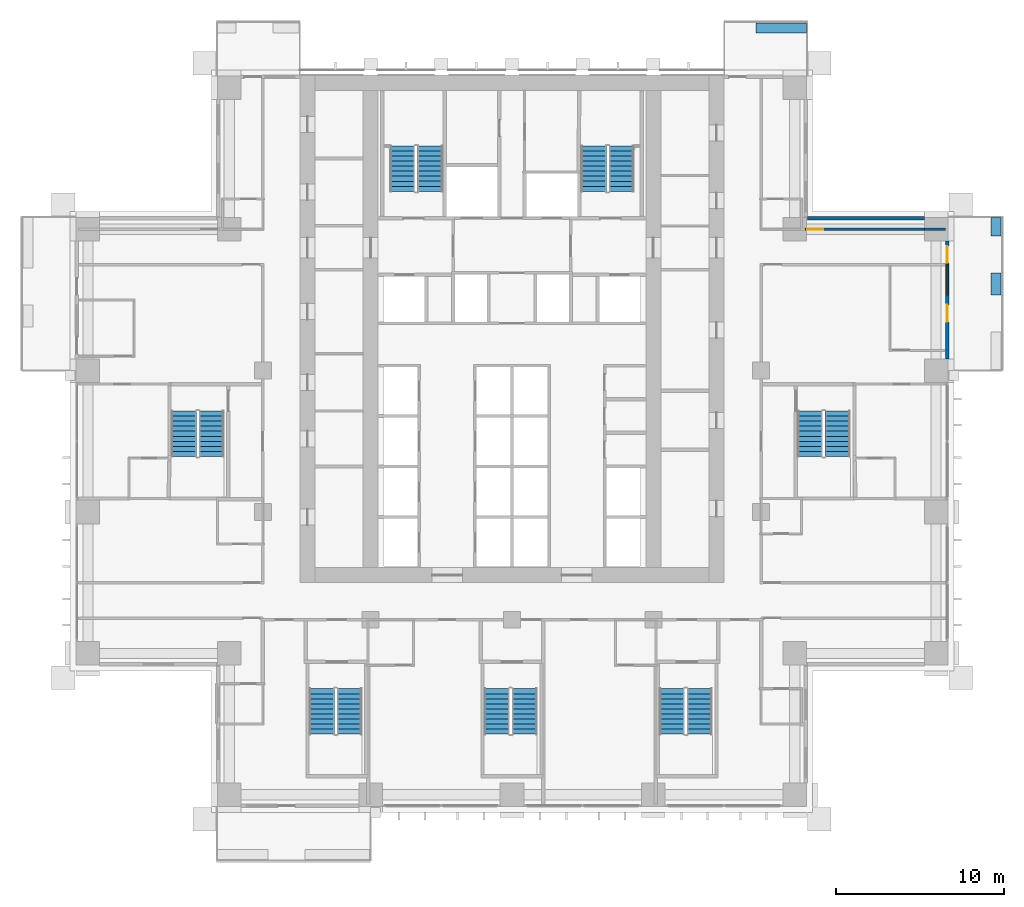
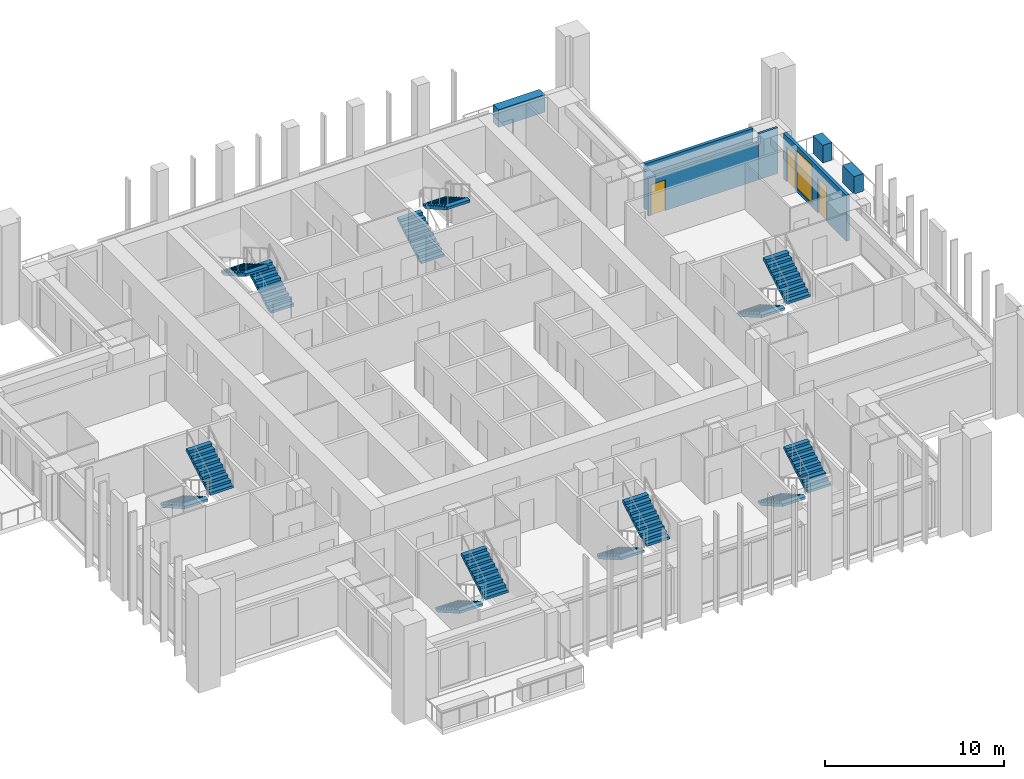
# One storey, part 12 of 17: 14 stair flights, 7 walls, 3 doors, 1 window, 4 openings, 7 elements without a shape of their own.
"""IFC4 building model written with IfcOpenShell, lengths in metres."""

from ifc_helpers import new_model, si_unit, direction, frame, frame_2d, origin, place, context, subcontext, project, spatial, polyline, rectangle, outline, extrude, material, layer, layer_set, type_object, element, fill, aggregate, save


model = new_model("IFC4")

# Units and contexts
model_context = context("Model", 3, precision=1e-05, world=origin(), true_north=direction((0.0, 1.0)))
body_context = subcontext(model_context, "Body", "Model", "MODEL_VIEW")
ifc_project = project(units=[si_unit("LENGTHUNIT", "METRE"), si_unit("AREAUNIT", "SQUARE_METRE"), si_unit("VOLUMEUNIT", "CUBIC_METRE"), si_unit("PLANEANGLEUNIT", "RADIAN"), si_unit("MASSUNIT", "GRAM", prefix="KILO")], contexts=[model_context])

# Site, building, storey
site_placement = place(None, origin())
site = spatial("IfcSite", under=ifc_project, at=site_placement, CompositionType="ELEMENT")
building_placement = place(site_placement, origin())
building = spatial("IfcBuilding", under=site, at=building_placement, Name="Vermilion Ogive Tower", CompositionType="ELEMENT")
storey_placement = place(building_placement, frame((0.0, 0.0, 69.0)))
storey = spatial("IfcBuildingStorey", under=building, at=storey_placement, Name="L16", CompositionType="ELEMENT", Elevation=69.0)

# Wall, opening, door
ifc_material_1 = material(Name="Gypsum board partition on steel studs", Category="steel")
ifc_layer_1 = layer(ifc_material_1, 0.14990234375)
ifc_layer_set_1 = layer_set([ifc_layer_1], Name="Partition 150 corridor")
wall_type_1 = type_object("IfcWallType", Name="Partition 150 corridor", PredefinedType="PARTITIONING", material=ifc_layer_set_1)
wall_1_placement = place(storey_placement, frame((17.39990234375, 12.60009765625, 0.0), z_axis=(0.0, 0.0, 1.0), x_axis=(1.0, 0.0, 0.0)))
wall_1 = element("IfcWall", 1, at=wall_1_placement, inside=storey, type_object=wall_type_1, Name="L16-W-W047-h1", PredefinedType="PARTITIONING", context=body_context, shape_type="SweptSolid", body=[
    extrude(rectangle(XDim=7.10009765625, YDim=0.14990234375, at=frame_2d((3.550048828125, 0.0))), origin(), (0.0, 0.0, 1.0), 2.580078125),
])
opening_1_placement = place(wall_1_placement, frame((0.14990234375, 0.0, 0.0)))
opening_1 = element("IfcOpeningElement", 2, at=opening_1_placement, cuts=wall_1, Name="Opening D1G6023", PredefinedType="OPENING", context=body_context, shape_type="SweptSolid", body=[
    extrude(rectangle(XDim=0.949951171875, YDim=2.10009765625, at=frame_2d((0.47509765625, 1.050048828125))), frame((0.0, 0.0849609375, 0.0), z_axis=(0.0, -1.0, 0.0), x_axis=(1.0, 0.0, 0.0)), (0.0, 0.0, 1.0), 0.169921875),
])
ifc_material_2 = material(Name="Timber door leaf", Category="wood")
door_type_1 = type_object("IfcDoorType", Name="Unit door 950 x 2100 FD30S", OperationType="SINGLE_SWING_LEFT", PredefinedType="DOOR", material=ifc_material_2)
door_1_placement = place(opening_1_placement, origin())
door_1 = element("IfcDoor", 3, at=door_1_placement, inside=storey, type_object=door_type_1, Name="L16-D-D023", OperationType="SINGLE_SWING_LEFT", OverallHeight=2.10009765625, OverallWidth=0.949951171875, PredefinedType="DOOR", context=body_context, shape_type="SweptSolid", body=[
    extrude(rectangle(XDim=0.949951171875, YDim=2.10009765625, at=frame_2d((0.47509765625, 1.050048828125))), frame((0.0, 0.02490234375, 0.0), z_axis=(0.0, -1.0, 0.0), x_axis=(1.0, 0.0, 0.0)), (0.0, 0.0, 1.0), 0.050048828125),
])
fill(opening_1, door_1)

# Walls
wall_2_placement = place(storey_placement, frame((24.5, 12.60009765625, 0.0), z_axis=(0.0, 0.0, 1.0), x_axis=(1.0, 0.0, 0.0)))
element("IfcWall", 4, at=wall_2_placement, inside=storey, type_object=wall_type_1, Name="L16-W-W047-h2", PredefinedType="PARTITIONING", context=body_context, shape_type="SweptSolid", body=[
    extrude(rectangle(XDim=1.25, YDim=0.14990234375, at=frame_2d((0.625, 0.0))), origin(), (0.0, 0.0, 1.0), 3.1298828125),
])
ifc_material_3 = material(Name="Concrete B40", Category="concrete")
ifc_layer_2 = layer(ifc_material_3, 0.60009765625)
ifc_layer_set_2 = layer_set([ifc_layer_2], Name="Structural planter")
wall_type_2 = type_object("IfcWallType", Name="Structural planter", PredefinedType="USERDEFINED", material=ifc_layer_set_2)
wall_3_placement = place(storey_placement, frame((28.75, 8.699951171875, -0.0400390625), z_axis=(0.0, 0.0, 1.0), x_axis=(0.0, 1.0, 0.0)))
element("IfcWall", 5, at=wall_3_placement, inside=storey, type_object=wall_type_2, Name="Planter E03A2", ObjectType="PLANTER", PredefinedType="USERDEFINED", context=body_context, shape_type="SweptSolid", body=[
    extrude(rectangle(XDim=1.300048828125, YDim=0.60009765625, at=frame_2d((0.64990234375, 0.0))), origin(), (0.0, 0.0, 1.0), 1.199951171875),
])
wall_4_placement = place(storey_placement, frame((28.75, 12.199951171875, -0.0400390625), z_axis=(0.0, 0.0, 1.0), x_axis=(0.0, 1.0, 0.0)))
element("IfcWall", 6, at=wall_4_placement, inside=storey, type_object=wall_type_2, Name="Planter E03A3", ObjectType="PLANTER", PredefinedType="USERDEFINED", context=body_context, shape_type="SweptSolid", body=[
    extrude(rectangle(XDim=1.090087890625, YDim=0.60009765625, at=frame_2d((0.544921875, 0.0))), origin(), (0.0, 0.0, 1.0), 1.199951171875),
])
wall_5_placement = place(storey_placement, frame((17.489990234375, 24.550048828125, -0.0400390625), z_axis=(0.0, 0.0, 1.0), x_axis=(-1.0, 0.0, 0.0)))
element("IfcWall", 7, at=wall_5_placement, inside=storey, type_object=wall_type_2, Name="Planter N101A1", ObjectType="PLANTER", PredefinedType="USERDEFINED", context=body_context, shape_type="SweptSolid", body=[
    extrude(rectangle(XDim=2.989990234375, YDim=0.60009765625, at=frame_2d((1.4951171875, 0.0))), origin(), (0.0, 0.0, 1.0), 1.199951171875),
])

# Wall, openings, doors, window
ifc_material_4 = material(Name="Aluminium window wall framing", Category="aluminium")
ifc_layer_3 = layer(ifc_material_4, 0.199951171875)
ifc_layer_set_3 = layer_set([ifc_layer_3], Name="Window wall")
wall_type_3 = type_object("IfcWallType", Name="Window wall", PredefinedType="STANDARD", material=ifc_layer_set_3)
wall_6_placement = place(storey_placement, frame((25.85009765625, 4.89990234375, 0.0), z_axis=(0.0, 0.0, 1.0), x_axis=(0.0, 1.0, 0.0)))
wall_6 = element("IfcWall", 8, at=wall_6_placement, inside=storey, type_object=wall_type_3, Name="Window wall E3", PredefinedType="STANDARD", context=body_context, shape_type="SweptSolid", body=[
    extrude(rectangle(XDim=7.0, YDim=0.199951171875, at=frame_2d((3.5, 0.0))), origin(), (0.0, 0.0, 1.0), 3.1298828125),
])
opening_2_placement = place(wall_6_placement, frame((2.199951171875, 0.0, 0.0)))
opening_2 = element("IfcOpeningElement", 9, at=opening_2_placement, cuts=wall_6, Name="Opening D1-E01", PredefinedType="OPENING", context=body_context, shape_type="SweptSolid", body=[
    extrude(rectangle(XDim=1.0, YDim=2.39990234375, at=frame_2d((0.5, 1.199951171875))), frame((0.0, 0.10986328125, 0.0), z_axis=(0.0, -1.0, 0.0), x_axis=(1.0, 0.0, 0.0)), (0.0, 0.0, 1.0), 0.219970703125),
])
opening_3_placement = place(wall_6_placement, frame((3.800048828125, 0.0, 0.199951171875)))
opening_3 = element("IfcOpeningElement", 10, at=opening_3_placement, cuts=wall_6, Name="Opening W1-E02", PredefinedType="OPENING", context=body_context, shape_type="SweptSolid", body=[
    extrude(rectangle(XDim=1.800048828125, YDim=2.64990234375, at=frame_2d((0.89990234375, 1.324951171875))), frame((0.0, 0.10986328125, 0.0), z_axis=(0.0, -1.0, 0.0), x_axis=(1.0, 0.0, 0.0)), (0.0, 0.0, 1.0), 0.219970703125),
])
opening_4_placement = place(wall_6_placement, frame((5.699951171875, 0.0, 0.0)))
opening_4 = element("IfcOpeningElement", 11, at=opening_4_placement, cuts=wall_6, Name="Opening D1-E02", PredefinedType="OPENING", context=body_context, shape_type="SweptSolid", body=[
    extrude(rectangle(XDim=1.0, YDim=2.39990234375, at=frame_2d((0.5, 1.199951171875))), frame((0.0, 0.10986328125, 0.0), z_axis=(0.0, -1.0, 0.0), x_axis=(1.0, 0.0, 0.0)), (0.0, 0.0, 1.0), 0.219970703125),
])
ifc_material_5 = material(Name="Aluminium framed glazed door", Category="aluminium")
door_type_2 = type_object("IfcDoorType", Name="Balcony door D1", OperationType="SINGLE_SWING_LEFT", PredefinedType="DOOR", material=ifc_material_5)
door_2_placement = place(opening_2_placement, origin())
door_2 = element("IfcDoor", 12, at=door_2_placement, inside=storey, type_object=door_type_2, Name="Balcony door E01", OperationType="SINGLE_SWING_LEFT", OverallHeight=2.39990234375, OverallWidth=1.0, PredefinedType="DOOR", context=body_context, shape_type="SweptSolid", body=[
    extrude(rectangle(XDim=1.0, YDim=2.39990234375, at=frame_2d((0.5, 1.199951171875))), frame((0.0, 0.02490234375, 0.0), z_axis=(0.0, -1.0, 0.0), x_axis=(1.0, 0.0, 0.0)), (0.0, 0.0, 1.0), 0.050048828125),
])
fill(opening_2, door_2)
door_3_placement = place(opening_4_placement, origin())
door_3 = element("IfcDoor", 13, at=door_3_placement, inside=storey, type_object=door_type_2, Name="Balcony door E02", OperationType="SINGLE_SWING_LEFT", OverallHeight=2.39990234375, OverallWidth=1.0, PredefinedType="DOOR", context=body_context, shape_type="SweptSolid", body=[
    extrude(rectangle(XDim=1.0, YDim=2.39990234375, at=frame_2d((0.5, 1.199951171875))), frame((0.0, 0.02490234375, 0.0), z_axis=(0.0, -1.0, 0.0), x_axis=(1.0, 0.0, 0.0)), (0.0, 0.0, 1.0), 0.050048828125),
])
fill(opening_4, door_3)
ifc_material_6 = material(Name="Aluminium framed double glazing", Category="aluminium")
window_type = type_object("IfcWindowType", Name="Guest window W1", PartitioningType="SINGLE_PANEL", PredefinedType="WINDOW", material=ifc_material_6)
window_placement = place(opening_3_placement, origin())
window = element("IfcWindow", 14, at=window_placement, inside=storey, type_object=window_type, Name="Window E02", OverallHeight=2.64990234375, OverallWidth=1.800048828125, PartitioningType="SINGLE_PANEL", PredefinedType="WINDOW", context=body_context, shape_type="SweptSolid", body=[
    extrude(rectangle(XDim=1.800048828125, YDim=2.64990234375, at=frame_2d((0.89990234375, 1.324951171875))), frame((0.0, 0.030029296875, 0.0), z_axis=(0.0, -1.0, 0.0), x_axis=(1.0, 0.0, 0.0)), (0.0, 0.0, 1.0), 0.06005859375),
])
fill(opening_3, window)

# Wall
wall_7_placement = place(storey_placement, frame((24.5, 13.25, 0.0), z_axis=(0.0, 0.0, 1.0), x_axis=(-1.0, 0.0, 0.0)))
element("IfcWall", 15, at=wall_7_placement, inside=storey, type_object=wall_type_3, Name="Window wall X31", PredefinedType="STANDARD", context=body_context, shape_type="SweptSolid", body=[
    extrude(rectangle(XDim=6.949951171875, YDim=0.199951171875, at=frame_2d((3.47509765625, 0.0))), origin(), (0.0, 0.0, 1.0), 3.1298828125),
])

# Stair, stair flights
ifc_material_7 = material(Name="Concrete B40", Category="concrete")
stair_type = type_object("IfcStairType", Name="Exit stair 1500", PredefinedType="HALF_TURN_STAIR", material=ifc_material_7)
stair_1_placement = place(storey_placement, origin())
stair_1 = element("IfcStair", 16, at=stair_1_placement, inside=storey, type_object=stair_type, Name="L16 Exit Stair ST1", PredefinedType="HALF_TURN_STAIR")
ifc_material_8 = material(Name="Concrete B40", Category="concrete")
stair_flight_type = type_object("IfcStairFlightType", Name="Stair flight 1500", PredefinedType="STRAIGHT", material=ifc_material_8)
stair_flight_1_placement = place(storey_placement, frame((-4.85009765625, 14.85009765625, 0.0), z_axis=(0.0, 0.0, 1.0), x_axis=(0.0, 1.0, 0.0)))
stair_flight_1 = element("IfcStairFlight", 17, at=stair_flight_1_placement, type_object=stair_flight_type, Name="ST1 flight 1", NumberOfRisers=10, NumberOfTreads=9, PredefinedType="STRAIGHT", RiserHeight=0.1725, TreadLength=0.3, context=body_context, shape_type="SweptSolid", body=[
    extrude(outline(polyline([(0.0, 0.0), (0.0, 0.172607421875), (0.300048828125, 0.172607421875), (0.300048828125, 0.344970703125), (0.60009765625, 0.344970703125), (0.60009765625, 0.517578125), (0.89990234375, 0.517578125), (0.89990234375, 0.68994140625), (1.199951171875, 0.68994140625), (1.199951171875, 0.862548828125), (1.5, 0.862548828125), (1.5, 1.034912109375), (1.800048828125, 1.034912109375), (1.800048828125, 1.20751953125), (2.10009765625, 1.20751953125), (2.10009765625, 1.3798828125), (2.39990234375, 1.3798828125), (2.39990234375, 1.552490234375), (2.699951171875, 1.552490234375), (2.699951171875, 1.72509765625), (2.699951171875, 1.379638671875), (0.30078125, 0.0), (0.0, 0.0)])), frame((0.0, 0.75, 0.0), z_axis=(0.0, -1.0, 0.0), x_axis=(1.0, 0.0, 0.0)), (0.0, 0.0, 1.0), 1.5),
])
stair_flight_2_placement = place(storey_placement, frame((-6.5, 17.550048828125, 1.72509765625), z_axis=(0.0, 0.0, 1.0), x_axis=(0.0, -1.0, 0.0)))
stair_flight_2 = element("IfcStairFlight", 18, at=stair_flight_2_placement, type_object=stair_flight_type, Name="ST1 flight 2", NumberOfRisers=10, NumberOfTreads=9, PredefinedType="STRAIGHT", RiserHeight=0.1725, TreadLength=0.3, context=body_context, shape_type="SweptSolid", body=[
    extrude(outline(polyline([(0.0, 0.0), (0.0, 0.172607421875), (0.300048828125, 0.172607421875), (0.300048828125, 0.344970703125), (0.60009765625, 0.344970703125), (0.60009765625, 0.517578125), (0.89990234375, 0.517578125), (0.89990234375, 0.68994140625), (1.199951171875, 0.68994140625), (1.199951171875, 0.862548828125), (1.5, 0.862548828125), (1.5, 1.034912109375), (1.800048828125, 1.034912109375), (1.800048828125, 1.20751953125), (2.10009765625, 1.20751953125), (2.10009765625, 1.3798828125), (2.39990234375, 1.3798828125), (2.39990234375, 1.552490234375), (2.699951171875, 1.552490234375), (2.699951171875, 1.72509765625), (2.699951171875, 1.379638671875), (0.30078125, 0.0), (0.0, 0.0)])), frame((0.0, 0.75, 0.0), z_axis=(0.0, -1.0, 0.0), x_axis=(1.0, 0.0, 0.0)), (0.0, 0.0, 1.0), 1.5),
])
aggregate(stair_1, [stair_flight_1, stair_flight_2])

stair_2_placement = place(storey_placement, origin())
stair_2 = element("IfcStair", 19, at=stair_2_placement, inside=storey, type_object=stair_type, Name="L16 Exit Stair ST2", PredefinedType="HALF_TURN_STAIR")
stair_flight_3_placement = place(storey_placement, frame((4.85009765625, 14.85009765625, 0.0), z_axis=(0.0, 0.0, 1.0), x_axis=(0.0, 1.0, 0.0)))
stair_flight_3 = element("IfcStairFlight", 20, at=stair_flight_3_placement, type_object=stair_flight_type, Name="ST2 flight 1", NumberOfRisers=10, NumberOfTreads=9, PredefinedType="STRAIGHT", RiserHeight=0.1725, TreadLength=0.3, context=body_context, shape_type="SweptSolid", body=[
    extrude(outline(polyline([(0.0, 0.0), (0.0, 0.172607421875), (0.300048828125, 0.172607421875), (0.300048828125, 0.344970703125), (0.60009765625, 0.344970703125), (0.60009765625, 0.517578125), (0.89990234375, 0.517578125), (0.89990234375, 0.68994140625), (1.199951171875, 0.68994140625), (1.199951171875, 0.862548828125), (1.5, 0.862548828125), (1.5, 1.034912109375), (1.800048828125, 1.034912109375), (1.800048828125, 1.20751953125), (2.10009765625, 1.20751953125), (2.10009765625, 1.3798828125), (2.39990234375, 1.3798828125), (2.39990234375, 1.552490234375), (2.699951171875, 1.552490234375), (2.699951171875, 1.72509765625), (2.699951171875, 1.379638671875), (0.30078125, 0.0), (0.0, 0.0)])), frame((0.0, 0.75, 0.0), z_axis=(0.0, -1.0, 0.0), x_axis=(1.0, 0.0, 0.0)), (0.0, 0.0, 1.0), 1.5),
])
stair_flight_4_placement = place(storey_placement, frame((6.5, 17.550048828125, 1.72509765625), z_axis=(0.0, 0.0, 1.0), x_axis=(0.0, -1.0, 0.0)))
stair_flight_4 = element("IfcStairFlight", 21, at=stair_flight_4_placement, type_object=stair_flight_type, Name="ST2 flight 2", NumberOfRisers=10, NumberOfTreads=9, PredefinedType="STRAIGHT", RiserHeight=0.1725, TreadLength=0.3, context=body_context, shape_type="SweptSolid", body=[
    extrude(outline(polyline([(0.0, 0.0), (0.0, 0.172607421875), (0.300048828125, 0.172607421875), (0.300048828125, 0.344970703125), (0.60009765625, 0.344970703125), (0.60009765625, 0.517578125), (0.89990234375, 0.517578125), (0.89990234375, 0.68994140625), (1.199951171875, 0.68994140625), (1.199951171875, 0.862548828125), (1.5, 0.862548828125), (1.5, 1.034912109375), (1.800048828125, 1.034912109375), (1.800048828125, 1.20751953125), (2.10009765625, 1.20751953125), (2.10009765625, 1.3798828125), (2.39990234375, 1.3798828125), (2.39990234375, 1.552490234375), (2.699951171875, 1.552490234375), (2.699951171875, 1.72509765625), (2.699951171875, 1.379638671875), (0.30078125, 0.0), (0.0, 0.0)])), frame((0.0, 0.75, 0.0), z_axis=(0.0, -1.0, 0.0), x_axis=(1.0, 0.0, 0.0)), (0.0, 0.0, 1.0), 1.5),
])
aggregate(stair_2, [stair_flight_3, stair_flight_4])

stair_3_placement = place(storey_placement, origin())
stair_3 = element("IfcStair", 22, at=stair_3_placement, inside=storey, type_object=stair_type, Name="L16 Exit Stair ST3", PredefinedType="HALF_TURN_STAIR")
stair_flight_5_placement = place(storey_placement, frame((-11.300048828125, -14.699951171875, 0.0), z_axis=(0.0, 0.0, 1.0), x_axis=(0.0, -1.0, 0.0)))
stair_flight_5 = element("IfcStairFlight", 23, at=stair_flight_5_placement, type_object=stair_flight_type, Name="ST3 flight 1", NumberOfRisers=10, NumberOfTreads=9, PredefinedType="STRAIGHT", RiserHeight=0.1725, TreadLength=0.3, context=body_context, shape_type="SweptSolid", body=[
    extrude(outline(polyline([(0.0, 0.0), (0.0, 0.172607421875), (0.300048828125, 0.172607421875), (0.300048828125, 0.344970703125), (0.60009765625, 0.344970703125), (0.60009765625, 0.517578125), (0.89990234375, 0.517578125), (0.89990234375, 0.68994140625), (1.199951171875, 0.68994140625), (1.199951171875, 0.862548828125), (1.5, 0.862548828125), (1.5, 1.034912109375), (1.800048828125, 1.034912109375), (1.800048828125, 1.20751953125), (2.10009765625, 1.20751953125), (2.10009765625, 1.3798828125), (2.39990234375, 1.3798828125), (2.39990234375, 1.552490234375), (2.699951171875, 1.552490234375), (2.699951171875, 1.72509765625), (2.699951171875, 1.379638671875), (0.30078125, 0.0), (0.0, 0.0)])), frame((0.0, 0.75, 0.0), z_axis=(0.0, -1.0, 0.0), x_axis=(1.0, 0.0, 0.0)), (0.0, 0.0, 1.0), 1.5),
])
stair_flight_6_placement = place(storey_placement, frame((-9.64990234375, -17.39990234375, 1.72509765625), z_axis=(0.0, 0.0, 1.0), x_axis=(0.0, 1.0, 0.0)))
stair_flight_6 = element("IfcStairFlight", 24, at=stair_flight_6_placement, type_object=stair_flight_type, Name="ST3 flight 2", NumberOfRisers=10, NumberOfTreads=9, PredefinedType="STRAIGHT", RiserHeight=0.1725, TreadLength=0.3, context=body_context, shape_type="SweptSolid", body=[
    extrude(outline(polyline([(0.0, 0.0), (0.0, 0.172607421875), (0.300048828125, 0.172607421875), (0.300048828125, 0.344970703125), (0.60009765625, 0.344970703125), (0.60009765625, 0.517578125), (0.89990234375, 0.517578125), (0.89990234375, 0.68994140625), (1.199951171875, 0.68994140625), (1.199951171875, 0.862548828125), (1.5, 0.862548828125), (1.5, 1.034912109375), (1.800048828125, 1.034912109375), (1.800048828125, 1.20751953125), (2.10009765625, 1.20751953125), (2.10009765625, 1.3798828125), (2.39990234375, 1.3798828125), (2.39990234375, 1.552490234375), (2.699951171875, 1.552490234375), (2.699951171875, 1.72509765625), (2.699951171875, 1.379638671875), (0.30078125, 0.0), (0.0, 0.0)])), frame((0.0, 0.75, 0.0), z_axis=(0.0, -1.0, 0.0), x_axis=(1.0, 0.0, 0.0)), (0.0, 0.0, 1.0), 1.5),
])
aggregate(stair_3, [stair_flight_5, stair_flight_6])

stair_4_placement = place(storey_placement, origin())
stair_4 = element("IfcStair", 25, at=stair_4_placement, inside=storey, type_object=stair_type, Name="L16 Exit Stair ST4", PredefinedType="HALF_TURN_STAIR")
stair_flight_7_placement = place(storey_placement, frame((-0.89990234375, -14.699951171875, 0.0), z_axis=(0.0, 0.0, 1.0), x_axis=(0.0, -1.0, 0.0)))
stair_flight_7 = element("IfcStairFlight", 26, at=stair_flight_7_placement, type_object=stair_flight_type, Name="ST4 flight 1", NumberOfRisers=10, NumberOfTreads=9, PredefinedType="STRAIGHT", RiserHeight=0.1725, TreadLength=0.3, context=body_context, shape_type="SweptSolid", body=[
    extrude(outline(polyline([(0.0, 0.0), (0.0, 0.172607421875), (0.300048828125, 0.172607421875), (0.300048828125, 0.344970703125), (0.60009765625, 0.344970703125), (0.60009765625, 0.517578125), (0.89990234375, 0.517578125), (0.89990234375, 0.68994140625), (1.199951171875, 0.68994140625), (1.199951171875, 0.862548828125), (1.5, 0.862548828125), (1.5, 1.034912109375), (1.800048828125, 1.034912109375), (1.800048828125, 1.20751953125), (2.10009765625, 1.20751953125), (2.10009765625, 1.3798828125), (2.39990234375, 1.3798828125), (2.39990234375, 1.552490234375), (2.699951171875, 1.552490234375), (2.699951171875, 1.72509765625), (2.699951171875, 1.379638671875), (0.30078125, 0.0), (0.0, 0.0)])), frame((0.0, 0.75, 0.0), z_axis=(0.0, -1.0, 0.0), x_axis=(1.0, 0.0, 0.0)), (0.0, 0.0, 1.0), 1.5),
])
stair_flight_8_placement = place(storey_placement, frame((0.75, -17.39990234375, 1.72509765625), z_axis=(0.0, 0.0, 1.0), x_axis=(0.0, 1.0, 0.0)))
stair_flight_8 = element("IfcStairFlight", 27, at=stair_flight_8_placement, type_object=stair_flight_type, Name="ST4 flight 2", NumberOfRisers=10, NumberOfTreads=9, PredefinedType="STRAIGHT", RiserHeight=0.1725, TreadLength=0.3, context=body_context, shape_type="SweptSolid", body=[
    extrude(outline(polyline([(0.0, 0.0), (0.0, 0.172607421875), (0.300048828125, 0.172607421875), (0.300048828125, 0.344970703125), (0.60009765625, 0.344970703125), (0.60009765625, 0.517578125), (0.89990234375, 0.517578125), (0.89990234375, 0.68994140625), (1.199951171875, 0.68994140625), (1.199951171875, 0.862548828125), (1.5, 0.862548828125), (1.5, 1.034912109375), (1.800048828125, 1.034912109375), (1.800048828125, 1.20751953125), (2.10009765625, 1.20751953125), (2.10009765625, 1.3798828125), (2.39990234375, 1.3798828125), (2.39990234375, 1.552490234375), (2.699951171875, 1.552490234375), (2.699951171875, 1.72509765625), (2.699951171875, 1.379638671875), (0.30078125, 0.0), (0.0, 0.0)])), frame((0.0, 0.75, 0.0), z_axis=(0.0, -1.0, 0.0), x_axis=(1.0, 0.0, 0.0)), (0.0, 0.0, 1.0), 1.5),
])
aggregate(stair_4, [stair_flight_7, stair_flight_8])

stair_5_placement = place(storey_placement, origin())
stair_5 = element("IfcStair", 28, at=stair_5_placement, inside=storey, type_object=stair_type, Name="L16 Exit Stair ST5", PredefinedType="HALF_TURN_STAIR")
stair_flight_9_placement = place(storey_placement, frame((9.5, -14.699951171875, 0.0), z_axis=(0.0, 0.0, 1.0), x_axis=(0.0, -1.0, 0.0)))
stair_flight_9 = element("IfcStairFlight", 29, at=stair_flight_9_placement, type_object=stair_flight_type, Name="ST5 flight 1", NumberOfRisers=10, NumberOfTreads=9, PredefinedType="STRAIGHT", RiserHeight=0.1725, TreadLength=0.3, context=body_context, shape_type="SweptSolid", body=[
    extrude(outline(polyline([(0.0, 0.0), (0.0, 0.172607421875), (0.300048828125, 0.172607421875), (0.300048828125, 0.344970703125), (0.60009765625, 0.344970703125), (0.60009765625, 0.517578125), (0.89990234375, 0.517578125), (0.89990234375, 0.68994140625), (1.199951171875, 0.68994140625), (1.199951171875, 0.862548828125), (1.5, 0.862548828125), (1.5, 1.034912109375), (1.800048828125, 1.034912109375), (1.800048828125, 1.20751953125), (2.10009765625, 1.20751953125), (2.10009765625, 1.3798828125), (2.39990234375, 1.3798828125), (2.39990234375, 1.552490234375), (2.699951171875, 1.552490234375), (2.699951171875, 1.72509765625), (2.699951171875, 1.379638671875), (0.30078125, 0.0), (0.0, 0.0)])), frame((0.0, 0.75, 0.0), z_axis=(0.0, -1.0, 0.0), x_axis=(1.0, 0.0, 0.0)), (0.0, 0.0, 1.0), 1.5),
])
stair_flight_10_placement = place(storey_placement, frame((11.14990234375, -17.39990234375, 1.72509765625), z_axis=(0.0, 0.0, 1.0), x_axis=(0.0, 1.0, 0.0)))
stair_flight_10 = element("IfcStairFlight", 30, at=stair_flight_10_placement, type_object=stair_flight_type, Name="ST5 flight 2", NumberOfRisers=10, NumberOfTreads=9, PredefinedType="STRAIGHT", RiserHeight=0.1725, TreadLength=0.3, context=body_context, shape_type="SweptSolid", body=[
    extrude(outline(polyline([(0.0, 0.0), (0.0, 0.172607421875), (0.300048828125, 0.172607421875), (0.300048828125, 0.344970703125), (0.60009765625, 0.344970703125), (0.60009765625, 0.517578125), (0.89990234375, 0.517578125), (0.89990234375, 0.68994140625), (1.199951171875, 0.68994140625), (1.199951171875, 0.862548828125), (1.5, 0.862548828125), (1.5, 1.034912109375), (1.800048828125, 1.034912109375), (1.800048828125, 1.20751953125), (2.10009765625, 1.20751953125), (2.10009765625, 1.3798828125), (2.39990234375, 1.3798828125), (2.39990234375, 1.552490234375), (2.699951171875, 1.552490234375), (2.699951171875, 1.72509765625), (2.699951171875, 1.379638671875), (0.30078125, 0.0), (0.0, 0.0)])), frame((0.0, 0.75, 0.0), z_axis=(0.0, -1.0, 0.0), x_axis=(1.0, 0.0, 0.0)), (0.0, 0.0, 1.0), 1.5),
])
aggregate(stair_5, [stair_flight_9, stair_flight_10])

stair_6_placement = place(storey_placement, origin())
stair_6 = element("IfcStair", 31, at=stair_6_placement, inside=storey, type_object=stair_type, Name="L16 Exit Stair ST8", PredefinedType="HALF_TURN_STAIR")
stair_flight_11_placement = place(storey_placement, frame((17.699951171875, 1.800048828125, 0.0), z_axis=(0.0, 0.0, 1.0), x_axis=(0.0, -1.0, 0.0)))
stair_flight_11 = element("IfcStairFlight", 32, at=stair_flight_11_placement, type_object=stair_flight_type, Name="ST8 flight 1", NumberOfRisers=10, NumberOfTreads=9, PredefinedType="STRAIGHT", RiserHeight=0.1725, TreadLength=0.3, context=body_context, shape_type="SweptSolid", body=[
    extrude(outline(polyline([(0.0, 0.0), (0.0, 0.172607421875), (0.300048828125, 0.172607421875), (0.300048828125, 0.344970703125), (0.60009765625, 0.344970703125), (0.60009765625, 0.517578125), (0.89990234375, 0.517578125), (0.89990234375, 0.68994140625), (1.199951171875, 0.68994140625), (1.199951171875, 0.862548828125), (1.5, 0.862548828125), (1.5, 1.034912109375), (1.800048828125, 1.034912109375), (1.800048828125, 1.20751953125), (2.10009765625, 1.20751953125), (2.10009765625, 1.3798828125), (2.39990234375, 1.3798828125), (2.39990234375, 1.552490234375), (2.699951171875, 1.552490234375), (2.699951171875, 1.72509765625), (2.699951171875, 1.379638671875), (0.30078125, 0.0), (0.0, 0.0)])), frame((0.0, 0.75, 0.0), z_axis=(0.0, -1.0, 0.0), x_axis=(1.0, 0.0, 0.0)), (0.0, 0.0, 1.0), 1.5),
])
stair_flight_12_placement = place(storey_placement, frame((19.35009765625, -0.89990234375, 1.72509765625), z_axis=(0.0, 0.0, 1.0), x_axis=(0.0, 1.0, 0.0)))
stair_flight_12 = element("IfcStairFlight", 33, at=stair_flight_12_placement, type_object=stair_flight_type, Name="ST8 flight 2", NumberOfRisers=10, NumberOfTreads=9, PredefinedType="STRAIGHT", RiserHeight=0.1725, TreadLength=0.3, context=body_context, shape_type="SweptSolid", body=[
    extrude(outline(polyline([(0.0, 0.0), (0.0, 0.172607421875), (0.300048828125, 0.172607421875), (0.300048828125, 0.344970703125), (0.60009765625, 0.344970703125), (0.60009765625, 0.517578125), (0.89990234375, 0.517578125), (0.89990234375, 0.68994140625), (1.199951171875, 0.68994140625), (1.199951171875, 0.862548828125), (1.5, 0.862548828125), (1.5, 1.034912109375), (1.800048828125, 1.034912109375), (1.800048828125, 1.20751953125), (2.10009765625, 1.20751953125), (2.10009765625, 1.3798828125), (2.39990234375, 1.3798828125), (2.39990234375, 1.552490234375), (2.699951171875, 1.552490234375), (2.699951171875, 1.72509765625), (2.699951171875, 1.379638671875), (0.30078125, 0.0), (0.0, 0.0)])), frame((0.0, 0.75, 0.0), z_axis=(0.0, -1.0, 0.0), x_axis=(1.0, 0.0, 0.0)), (0.0, 0.0, 1.0), 1.5),
])
aggregate(stair_6, [stair_flight_11, stair_flight_12])

stair_7_placement = place(storey_placement, origin())
stair_7 = element("IfcStair", 34, at=stair_7_placement, inside=storey, type_object=stair_type, Name="L16 Exit Stair ST9", PredefinedType="HALF_TURN_STAIR")
stair_flight_13_placement = place(storey_placement, frame((-19.5, 1.800048828125, 0.0), z_axis=(0.0, 0.0, 1.0), x_axis=(0.0, -1.0, 0.0)))
stair_flight_13 = element("IfcStairFlight", 35, at=stair_flight_13_placement, type_object=stair_flight_type, Name="ST9 flight 1", NumberOfRisers=10, NumberOfTreads=9, PredefinedType="STRAIGHT", RiserHeight=0.1725, TreadLength=0.3, context=body_context, shape_type="SweptSolid", body=[
    extrude(outline(polyline([(0.0, 0.0), (0.0, 0.172607421875), (0.300048828125, 0.172607421875), (0.300048828125, 0.344970703125), (0.60009765625, 0.344970703125), (0.60009765625, 0.517578125), (0.89990234375, 0.517578125), (0.89990234375, 0.68994140625), (1.199951171875, 0.68994140625), (1.199951171875, 0.862548828125), (1.5, 0.862548828125), (1.5, 1.034912109375), (1.800048828125, 1.034912109375), (1.800048828125, 1.20751953125), (2.10009765625, 1.20751953125), (2.10009765625, 1.3798828125), (2.39990234375, 1.3798828125), (2.39990234375, 1.552490234375), (2.699951171875, 1.552490234375), (2.699951171875, 1.72509765625), (2.699951171875, 1.379638671875), (0.30078125, 0.0), (0.0, 0.0)])), frame((0.0, 0.75, 0.0), z_axis=(0.0, -1.0, 0.0), x_axis=(1.0, 0.0, 0.0)), (0.0, 0.0, 1.0), 1.5),
])
stair_flight_14_placement = place(storey_placement, frame((-17.85009765625, -0.89990234375, 1.72509765625), z_axis=(0.0, 0.0, 1.0), x_axis=(0.0, 1.0, 0.0)))
stair_flight_14 = element("IfcStairFlight", 36, at=stair_flight_14_placement, type_object=stair_flight_type, Name="ST9 flight 2", NumberOfRisers=10, NumberOfTreads=9, PredefinedType="STRAIGHT", RiserHeight=0.1725, TreadLength=0.3, context=body_context, shape_type="SweptSolid", body=[
    extrude(outline(polyline([(0.0, 0.0), (0.0, 0.172607421875), (0.300048828125, 0.172607421875), (0.300048828125, 0.344970703125), (0.60009765625, 0.344970703125), (0.60009765625, 0.517578125), (0.89990234375, 0.517578125), (0.89990234375, 0.68994140625), (1.199951171875, 0.68994140625), (1.199951171875, 0.862548828125), (1.5, 0.862548828125), (1.5, 1.034912109375), (1.800048828125, 1.034912109375), (1.800048828125, 1.20751953125), (2.10009765625, 1.20751953125), (2.10009765625, 1.3798828125), (2.39990234375, 1.3798828125), (2.39990234375, 1.552490234375), (2.699951171875, 1.552490234375), (2.699951171875, 1.72509765625), (2.699951171875, 1.379638671875), (0.30078125, 0.0), (0.0, 0.0)])), frame((0.0, 0.75, 0.0), z_axis=(0.0, -1.0, 0.0), x_axis=(1.0, 0.0, 0.0)), (0.0, 0.0, 1.0), 1.5),
])
aggregate(stair_7, [stair_flight_13, stair_flight_14])

save(model, "model.ifc")
